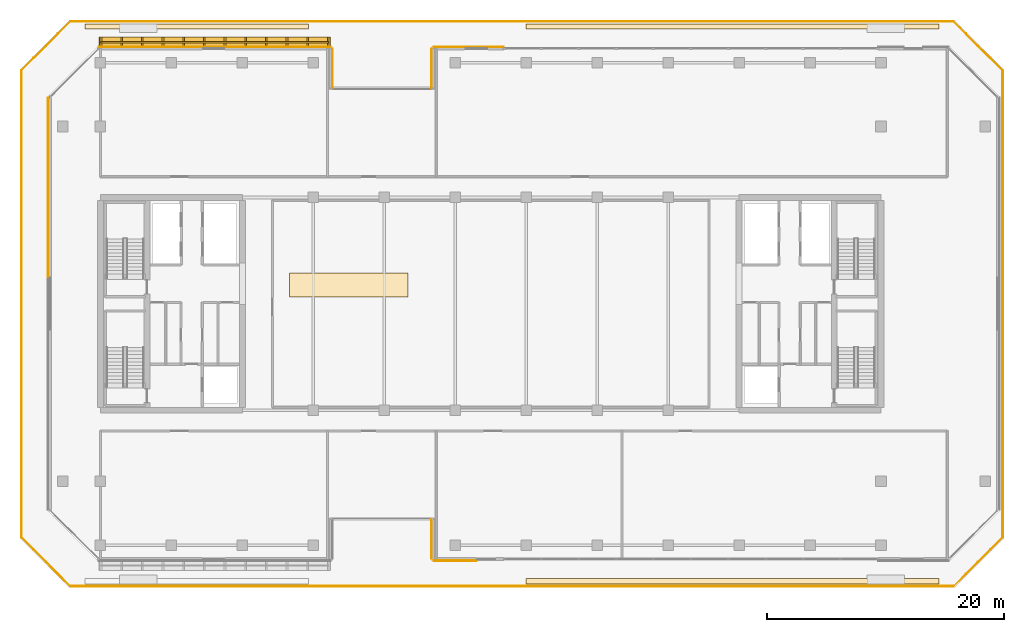
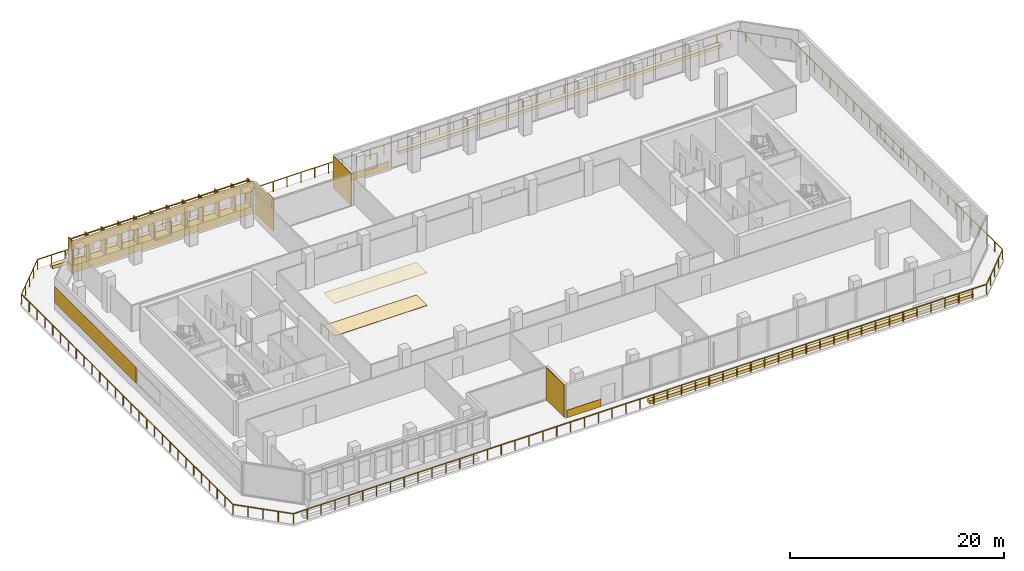
# One storey, part 28 of 30: 13 coverings, 3 railings.
"""IFC4 building model written with IfcOpenShell, lengths in metres."""

from ifc_helpers import new_model, si_unit, direction, frame, origin, origin_2d, place, context, subcontext, project, spatial, polyline, rectangle, outline, extrude, material, layer, layer_set, type_object, element, save


model = new_model("IFC4")

# Units and contexts
model_context = context("Model", 3, precision=1e-05, world=origin(), true_north=direction((0.0, 1.0)))
body_context = subcontext(model_context, "Body", "Model", "MODEL_VIEW")
ifc_project = project(units=[si_unit("LENGTHUNIT", "METRE"), si_unit("AREAUNIT", "SQUARE_METRE"), si_unit("VOLUMEUNIT", "CUBIC_METRE"), si_unit("PLANEANGLEUNIT", "RADIAN"), si_unit("MASSUNIT", "GRAM", prefix="KILO")], contexts=[model_context])

# Site, building, storey
site_placement = place(None, origin())
site = spatial("IfcSite", under=ifc_project, at=site_placement, CompositionType="ELEMENT")
building_placement = place(site_placement, origin())
building = spatial("IfcBuilding", under=site, at=building_placement, Name="Tanjung Sevakor Pilgrim Tower", CompositionType="ELEMENT")
storey_placement = place(building_placement, frame((0.0, 0.0, 128.0400390625)))
storey = spatial("IfcBuildingStorey", under=building, at=storey_placement, Name="L35", CompositionType="ELEMENT", Elevation=128.0400390625)

# Coverings
ifc_material_1 = material(Name="Acoustic Gypsum Board Ceiling", Category="gypsum board")
ifc_layer_1 = layer(ifc_material_1, 0.02490234375)
ifc_layer_set_1 = layer_set([ifc_layer_1], Name="COV-CEIL-ACOUSTIC")
covering_type_1 = type_object("IfcCoveringType", Name="COV-CEIL-ACOUSTIC", PredefinedType="CEILING", material=ifc_layer_set_1)
covering_1_placement = place(storey_placement, frame((45.0, 35.199951171875, 3.715576171875), z_axis=(0.0, 0.0, 1.0), x_axis=(1.0, 0.0, 0.0)))
element("IfcCovering", 1, at=covering_1_placement, inside=storey, type_object=covering_type_1, Name="L35 Acoustic Suspended Ceiling", PredefinedType="CEILING", context=body_context, shape_type="SweptSolid", body=[
    extrude(rectangle(XDim=10.0, YDim=2.0, at=origin_2d()), origin(), (0.0, 0.0, 1.0), 0.02490234375),
])
ifc_material_2 = material(Name="Reconstructed Limestone Cladding", Category="masonry")
ifc_layer_2 = layer(ifc_material_2, 0.044921875)
ifc_layer_set_2 = layer_set([ifc_layer_2], Name="COV-CLAD-LIMESTONE")
covering_type_2 = type_object("IfcCoveringType", Name="COV-CLAD-LIMESTONE", PredefinedType="CLADDING", material=ifc_layer_set_2)
covering_2_placement = place(storey_placement, frame((51.9775390625, 13.72509765625, 0.02001953125), z_axis=(0.0, 0.0, 1.0), x_axis=(0.0, -1.0, 0.0)))
element("IfcCovering", 2, at=covering_2_placement, inside=storey, type_object=covering_type_2, Name="L35 Warm Limestone Wall Cladding EW-L35-MAIN-4", PredefinedType="CLADDING", context=body_context, shape_type="SweptSolid", body=[
    extrude(rectangle(XDim=3.360107421875, YDim=0.044921875, at=origin_2d()), origin(), (0.0, 0.0, 1.0), 3.699951171875),
])
covering_3_placement = place(storey_placement, frame((53.989990234375, 11.87744140625, 0.009765625), z_axis=(0.0, 0.0, 1.0), x_axis=(1.0, 0.0, 0.0)))
element("IfcCovering", 3, at=covering_3_placement, inside=storey, type_object=covering_type_2, Name="L35 Warm Limestone Sill Spandrel EW-SKY-L35-S1-1", PredefinedType="CLADDING", context=body_context, shape_type="SweptSolid", body=[
    extrude(rectangle(XDim=3.64990234375, YDim=0.044921875, at=origin_2d()), origin(), (0.0, 0.0, 1.0), 0.840087890625),
])
covering_4_placement = place(storey_placement, frame((55.125, 55.322509765625, 0.009765625), z_axis=(0.0, 0.0, 1.0), x_axis=(-1.0, 0.0, 0.0)))
element("IfcCovering", 4, at=covering_4_placement, inside=storey, type_object=covering_type_2, Name="L35 Warm Limestone Sill Spandrel EW-SKY-L35-N2-1", PredefinedType="CLADDING", context=body_context, shape_type="SweptSolid", body=[
    extrude(rectangle(XDim=5.919921875, YDim=0.044921875, at=origin_2d()), origin(), (0.0, 0.0, 1.0), 0.840087890625),
])
for number, where, z_axis, x_axis, name in (
    (5, (51.9775390625, 53.47509765625, 0.02001953125), (0.0, 0.0, 1.0), (0.0, -1.0, 0.0), "L35 Warm Limestone Wall Cladding EW-L35-MAIN-10"),
    (6, (43.62255859375, 53.47509765625, 0.02001953125), (0.0, 0.0, 1.0), (0.0, 1.0, 0.0), "L35 Warm Limestone Wall Cladding EW-L35-MAIN-12"),
):
    element("IfcCovering", number, at=place(storey_placement, frame(where, z_axis=z_axis, x_axis=x_axis)), inside=storey, type_object=covering_type_2, Name=name, PredefinedType="CLADDING", context=body_context, shape_type="SweptSolid", body=[
        extrude(rectangle(XDim=3.360107421875, YDim=0.044921875, at=origin_2d()), origin(), (0.0, 0.0, 1.0), 3.699951171875),
    ])
covering_5_placement = place(storey_placement, frame((33.663330078125, 55.72998046875, 0.009765625), z_axis=(0.0, 0.0, 1.0), x_axis=(-1.0, 0.0, 0.0)))
element("IfcCovering", 7, at=covering_5_placement, inside=storey, type_object=covering_type_2, Name="L35 Warm Limestone Sill Spandrel EW-L35-MAIN-13-1", PredefinedType="CLADDING", context=body_context, shape_type="SweptSolid", body=[
    extrude(rectangle(XDim=19.543212890625, YDim=0.860107421875, at=origin_2d()), origin(), (0.0, 0.0, 1.0), 0.840087890625),
])
covering_6_placement = place(storey_placement, frame((33.663330078125, 55.322509765625, 2.66015625), z_axis=(0.0, 0.0, 1.0), x_axis=(-1.0, 0.0, 0.0)))
element("IfcCovering", 8, at=covering_6_placement, inside=storey, type_object=covering_type_2, Name="L35 Warm Limestone Cornice Spandrel EW-L35-MAIN-13", PredefinedType="CLADDING", context=body_context, shape_type="SweptSolid", body=[
    extrude(rectangle(XDim=19.583251953125, YDim=0.044921875, at=origin_2d()), origin(), (0.0, 0.0, 1.0), 1.070068359375),
])
covering_7_placement = place(storey_placement, frame((19.577392578125, 43.42919921875, 0.849853515625), z_axis=(0.0, 0.0, 1.0), x_axis=(0.0, -1.0, 0.0)))
element("IfcCovering", 9, at=covering_7_placement, inside=storey, type_object=covering_type_2, Name="L35 Warm Limestone Pier Panel EW-L35-MAIN-15-1", PredefinedType="CLADDING", context=body_context, shape_type="SweptSolid", body=[
    extrude(rectangle(XDim=15.158203125, YDim=0.044921875, at=origin_2d()), origin(), (0.0, 0.0, 1.0), 1.81005859375),
])
ifc_material_3 = material(Name="Honed Limestone Terrazzo Flooring", Category="masonry")
ifc_layer_3 = layer(ifc_material_3, 0.030029296875)
ifc_layer_set_3 = layer_set([ifc_layer_3], Name="COV-FLOOR-TERRAZZO")
covering_type_3 = type_object("IfcCoveringType", Name="COV-FLOOR-TERRAZZO", PredefinedType="FLOORING", material=ifc_layer_set_3)
covering_8_placement = place(storey_placement, frame((45.0, 35.199951171875, 0.0), z_axis=(0.0, 0.0, 1.0), x_axis=(1.0, 0.0, 0.0)))
element("IfcCovering", 10, at=covering_8_placement, inside=storey, type_object=covering_type_3, Name="L35 Terrazzo Lobby Flooring", PredefinedType="FLOORING", context=body_context, shape_type="SweptSolid", body=[
    extrude(rectangle(XDim=10.0, YDim=2.0, at=origin_2d()), origin(), (0.0, 0.0, 1.0), 0.030029296875),
])
ifc_material_4 = material(Name="Vegetated Modular Planter Assembly", Category="organic")
ifc_layer_4 = layer(ifc_material_4, 0.35009765625)
ifc_layer_set_4 = layer_set([ifc_layer_4], Name="COV-GRN-TROUGH")
covering_type_4 = type_object("IfcCoveringType", Name="COV-GRN-TROUGH", PredefinedType="CLADDING", material=ifc_layer_set_4)
covering_9_placement = place(storey_placement, origin())
element("IfcCovering", 11, at=covering_9_placement, inside=storey, type_object=covering_type_4, Name="L35 Planted Landscape Hedge Trough SGRN-L35-SE", PredefinedType="CLADDING", context=body_context, shape_type="SweptSolid", body=[
    extrude(outline(polyline([(60.0, 9.929931640625), (94.89990234375, 9.929931640625), (94.89990234375, 10.3701171875), (60.0, 10.3701171875), (60.0, 9.929931640625)])), origin(), (0.0, 0.0, 1.0), 0.349853515625),
])
covering_10_placement = place(storey_placement, origin())
element("IfcCovering", 12, at=covering_10_placement, inside=storey, type_object=covering_type_4, Name="L35 Planted Landscape Hedge Trough SGRN-L35-NW", PredefinedType="CLADDING", context=body_context, shape_type="SweptSolid", body=[
    extrude(outline(polyline([(22.699951171875, 56.830078125), (41.60009765625, 56.830078125), (41.60009765625, 57.27001953125), (22.699951171875, 57.27001953125), (22.699951171875, 56.830078125)])), origin(), (0.0, 0.0, 1.0), 0.349853515625),
])
covering_11_placement = place(storey_placement, origin())
element("IfcCovering", 13, at=covering_11_placement, inside=storey, type_object=covering_type_4, Name="L35 Planted Landscape Hedge Trough SGRN-L35-NE", PredefinedType="CLADDING", context=body_context, shape_type="SweptSolid", body=[
    extrude(outline(polyline([(60.0, 56.830078125), (94.89990234375, 56.830078125), (94.89990234375, 57.27001953125), (60.0, 57.27001953125), (60.0, 56.830078125)])), origin(), (0.0, 0.0, 1.0), 0.349853515625),
])

# Railings
ifc_material_5 = material(Name="Steel S355J2", Category="steel")
railing_type_1 = type_object("IfcRailingType", Name="RL-EXT-GUARD", PredefinedType="GUARDRAIL", material=ifc_material_5)
railing_1_placement = place(storey_placement, frame((21.44970703125, 9.719970703125, 0.0)))
element("IfcRailing", 14, at=railing_1_placement, inside=storey, type_object=railing_type_1, Name="L35 Terrace Perimeter Guardrail GR-SKYTER-L35-1", PredefinedType="GUARDRAIL", context=body_context, shape_type="SweptSolid", body=[
    extrude(rectangle(XDim=0.0479, YDim=0.0479), frame((0.0, 0.0, 1.1259765625), z_axis=(1.0, 0.0, 0.0), x_axis=(0.0, 1.0, 0.0)), (0.0, 0.0, 1.0), 74.70068359375),
    extrude(rectangle(XDim=0.0479, YDim=0.0479), frame((74.70068359375, 0.0, 1.1259765625), z_axis=(0.707106781187, 0.707106781187, 0.0), x_axis=(-0.707106781187, 0.707106781187, 0.0)), (0.0, 0.0, 1.0), 5.840087890625),
    extrude(rectangle(XDim=0.0479, YDim=0.0479), frame((78.830322265625, 4.129638671875, 1.1259765625), z_axis=(0.0, 1.0, 0.0), x_axis=(-1.0, 0.0, 0.0)), (0.0, 0.0, 1.0), 39.500732421875),
    extrude(rectangle(XDim=0.0479, YDim=0.0479), frame((78.830322265625, 43.63037109375, 1.1259765625), z_axis=(-0.707106781187, 0.707106781187, 0.0), x_axis=(-0.707106781187, -0.707106781187, 0.0)), (0.0, 0.0, 1.0), 5.840087890625),
    extrude(rectangle(XDim=0.042, YDim=0.042), origin(), (0.0, 0.0, 1.0), 1.101806640625),
    extrude(rectangle(XDim=0.042, YDim=0.042), frame((1.493896484375, 0.0, 0.0)), (0.0, 0.0, 1.0), 1.101806640625),
    extrude(rectangle(XDim=0.042, YDim=0.042), frame((2.988037109375, 0.0, 0.0)), (0.0, 0.0, 1.0), 1.101806640625),
    extrude(rectangle(XDim=0.042, YDim=0.042), frame((4.48193359375, 0.0, 0.0)), (0.0, 0.0, 1.0), 1.101806640625),
    extrude(rectangle(XDim=0.042, YDim=0.042), frame((5.97607421875, 0.0, 0.0)), (0.0, 0.0, 1.0), 1.101806640625),
    extrude(rectangle(XDim=0.042, YDim=0.042), frame((7.469970703125, 0.0, 0.0)), (0.0, 0.0, 1.0), 1.101806640625),
    extrude(rectangle(XDim=0.042, YDim=0.042), frame((8.964111328125, 0.0, 0.0)), (0.0, 0.0, 1.0), 1.101806640625),
    extrude(rectangle(XDim=0.042, YDim=0.042), frame((10.4580078125, 0.0, 0.0)), (0.0, 0.0, 1.0), 1.101806640625),
    extrude(rectangle(XDim=0.042, YDim=0.042), frame((11.9521484375, 0.0, 0.0)), (0.0, 0.0, 1.0), 1.101806640625),
    extrude(rectangle(XDim=0.042, YDim=0.042), frame((13.446044921875, 0.0, 0.0)), (0.0, 0.0, 1.0), 1.101806640625),
    extrude(rectangle(XDim=0.042, YDim=0.042), frame((14.940185546875, 0.0, 0.0)), (0.0, 0.0, 1.0), 1.101806640625),
    extrude(rectangle(XDim=0.042, YDim=0.042), frame((16.43408203125, 0.0, 0.0)), (0.0, 0.0, 1.0), 1.101806640625),
    extrude(rectangle(XDim=0.042, YDim=0.042), frame((17.92822265625, 0.0, 0.0)), (0.0, 0.0, 1.0), 1.101806640625),
    extrude(rectangle(XDim=0.042, YDim=0.042), frame((19.422119140625, 0.0, 0.0)), (0.0, 0.0, 1.0), 1.101806640625),
    extrude(rectangle(XDim=0.042, YDim=0.042), frame((20.916259765625, 0.0, 0.0)), (0.0, 0.0, 1.0), 1.101806640625),
    extrude(rectangle(XDim=0.042, YDim=0.042), frame((22.41015625, 0.0, 0.0)), (0.0, 0.0, 1.0), 1.101806640625),
    extrude(rectangle(XDim=0.042, YDim=0.042), frame((23.904296875, 0.0, 0.0)), (0.0, 0.0, 1.0), 1.101806640625),
    extrude(rectangle(XDim=0.042, YDim=0.042), frame((25.398193359375, 0.0, 0.0)), (0.0, 0.0, 1.0), 1.101806640625),
    extrude(rectangle(XDim=0.042, YDim=0.042), frame((26.892333984375, 0.0, 0.0)), (0.0, 0.0, 1.0), 1.101806640625),
    extrude(rectangle(XDim=0.042, YDim=0.042), frame((28.38623046875, 0.0, 0.0)), (0.0, 0.0, 1.0), 1.101806640625),
    extrude(rectangle(XDim=0.042, YDim=0.042), frame((29.88037109375, 0.0, 0.0)), (0.0, 0.0, 1.0), 1.101806640625),
    extrude(rectangle(XDim=0.042, YDim=0.042), frame((31.374267578125, 0.0, 0.0)), (0.0, 0.0, 1.0), 1.101806640625),
    extrude(rectangle(XDim=0.042, YDim=0.042), frame((32.868408203125, 0.0, 0.0)), (0.0, 0.0, 1.0), 1.101806640625),
    extrude(rectangle(XDim=0.042, YDim=0.042), frame((34.3623046875, 0.0, 0.0)), (0.0, 0.0, 1.0), 1.101806640625),
    extrude(rectangle(XDim=0.042, YDim=0.042), frame((35.8564453125, 0.0, 0.0)), (0.0, 0.0, 1.0), 1.101806640625),
    extrude(rectangle(XDim=0.042, YDim=0.042), frame((37.350341796875, 0.0, 0.0)), (0.0, 0.0, 1.0), 1.101806640625),
    extrude(rectangle(XDim=0.042, YDim=0.042), frame((38.84423828125, 0.0, 0.0)), (0.0, 0.0, 1.0), 1.101806640625),
    extrude(rectangle(XDim=0.042, YDim=0.042), frame((40.33837890625, 0.0, 0.0)), (0.0, 0.0, 1.0), 1.101806640625),
    extrude(rectangle(XDim=0.042, YDim=0.042), frame((41.832275390625, 0.0, 0.0)), (0.0, 0.0, 1.0), 1.101806640625),
    extrude(rectangle(XDim=0.042, YDim=0.042), frame((43.326416015625, 0.0, 0.0)), (0.0, 0.0, 1.0), 1.101806640625),
    extrude(rectangle(XDim=0.042, YDim=0.042), frame((44.8203125, 0.0, 0.0)), (0.0, 0.0, 1.0), 1.101806640625),
    extrude(rectangle(XDim=0.042, YDim=0.042), frame((46.314453125, 0.0, 0.0)), (0.0, 0.0, 1.0), 1.101806640625),
    extrude(rectangle(XDim=0.042, YDim=0.042), frame((47.808349609375, 0.0, 0.0)), (0.0, 0.0, 1.0), 1.101806640625),
    extrude(rectangle(XDim=0.042, YDim=0.042), frame((49.302490234375, 0.0, 0.0)), (0.0, 0.0, 1.0), 1.101806640625),
    extrude(rectangle(XDim=0.042, YDim=0.042), frame((50.79638671875, 0.0, 0.0)), (0.0, 0.0, 1.0), 1.101806640625),
    extrude(rectangle(XDim=0.042, YDim=0.042), frame((52.29052734375, 0.0, 0.0)), (0.0, 0.0, 1.0), 1.101806640625),
    extrude(rectangle(XDim=0.042, YDim=0.042), frame((53.784423828125, 0.0, 0.0)), (0.0, 0.0, 1.0), 1.101806640625),
    extrude(rectangle(XDim=0.042, YDim=0.042), frame((55.278564453125, 0.0, 0.0)), (0.0, 0.0, 1.0), 1.101806640625),
    extrude(rectangle(XDim=0.042, YDim=0.042), frame((56.7724609375, 0.0, 0.0)), (0.0, 0.0, 1.0), 1.101806640625),
    extrude(rectangle(XDim=0.042, YDim=0.042), frame((58.2666015625, 0.0, 0.0)), (0.0, 0.0, 1.0), 1.101806640625),
    extrude(rectangle(XDim=0.042, YDim=0.042), frame((59.760498046875, 0.0, 0.0)), (0.0, 0.0, 1.0), 1.101806640625),
    extrude(rectangle(XDim=0.042, YDim=0.042), frame((61.254638671875, 0.0, 0.0)), (0.0, 0.0, 1.0), 1.101806640625),
    extrude(rectangle(XDim=0.042, YDim=0.042), frame((62.74853515625, 0.0, 0.0)), (0.0, 0.0, 1.0), 1.101806640625),
    extrude(rectangle(XDim=0.042, YDim=0.042), frame((64.24267578125, 0.0, 0.0)), (0.0, 0.0, 1.0), 1.101806640625),
    extrude(rectangle(XDim=0.042, YDim=0.042), frame((65.736572265625, 0.0, 0.0)), (0.0, 0.0, 1.0), 1.101806640625),
    extrude(rectangle(XDim=0.042, YDim=0.042), frame((67.230712890625, 0.0, 0.0)), (0.0, 0.0, 1.0), 1.101806640625),
    extrude(rectangle(XDim=0.042, YDim=0.042), frame((68.724609375, 0.0, 0.0)), (0.0, 0.0, 1.0), 1.101806640625),
    extrude(rectangle(XDim=0.042, YDim=0.042), frame((70.21875, 0.0, 0.0)), (0.0, 0.0, 1.0), 1.101806640625),
    extrude(rectangle(XDim=0.042, YDim=0.042), frame((71.712646484375, 0.0, 0.0)), (0.0, 0.0, 1.0), 1.101806640625),
    extrude(rectangle(XDim=0.042, YDim=0.042), frame((73.206787109375, 0.0, 0.0)), (0.0, 0.0, 1.0), 1.101806640625),
    extrude(rectangle(XDim=0.042, YDim=0.042), frame((74.70068359375, 0.0, 0.0)), (0.0, 0.0, 1.0), 1.101806640625),
    extrude(rectangle(XDim=0.042, YDim=0.042), frame((75.733154296875, 1.032470703125, 0.0)), (0.0, 0.0, 1.0), 1.101806640625),
    extrude(rectangle(XDim=0.042, YDim=0.042), frame((76.765625, 2.06494140625, 0.0)), (0.0, 0.0, 1.0), 1.101806640625),
    extrude(rectangle(XDim=0.042, YDim=0.042), frame((77.7978515625, 3.09716796875, 0.0)), (0.0, 0.0, 1.0), 1.101806640625),
    extrude(rectangle(XDim=0.042, YDim=0.042), frame((78.830322265625, 4.129638671875, 0.0)), (0.0, 0.0, 1.0), 1.101806640625),
    extrude(rectangle(XDim=0.042, YDim=0.042), frame((78.830322265625, 5.592529296875, 0.0)), (0.0, 0.0, 1.0), 1.101806640625),
    extrude(rectangle(XDim=0.042, YDim=0.042), frame((78.830322265625, 7.0556640625, 0.0)), (0.0, 0.0, 1.0), 1.101806640625),
    extrude(rectangle(XDim=0.042, YDim=0.042), frame((78.830322265625, 8.5185546875, 0.0)), (0.0, 0.0, 1.0), 1.101806640625),
    extrude(rectangle(XDim=0.042, YDim=0.042), frame((78.830322265625, 9.981689453125, 0.0)), (0.0, 0.0, 1.0), 1.101806640625),
    extrude(rectangle(XDim=0.042, YDim=0.042), frame((78.830322265625, 11.444580078125, 0.0)), (0.0, 0.0, 1.0), 1.101806640625),
    extrude(rectangle(XDim=0.042, YDim=0.042), frame((78.830322265625, 12.907470703125, 0.0)), (0.0, 0.0, 1.0), 1.101806640625),
    extrude(rectangle(XDim=0.042, YDim=0.042), frame((78.830322265625, 14.37060546875, 0.0)), (0.0, 0.0, 1.0), 1.101806640625),
    extrude(rectangle(XDim=0.042, YDim=0.042), frame((78.830322265625, 15.83349609375, 0.0)), (0.0, 0.0, 1.0), 1.101806640625),
    extrude(rectangle(XDim=0.042, YDim=0.042), frame((78.830322265625, 17.296630859375, 0.0)), (0.0, 0.0, 1.0), 1.101806640625),
    extrude(rectangle(XDim=0.042, YDim=0.042), frame((78.830322265625, 18.759521484375, 0.0)), (0.0, 0.0, 1.0), 1.101806640625),
    extrude(rectangle(XDim=0.042, YDim=0.042), frame((78.830322265625, 20.222412109375, 0.0)), (0.0, 0.0, 1.0), 1.101806640625),
    extrude(rectangle(XDim=0.042, YDim=0.042), frame((78.830322265625, 21.685546875, 0.0)), (0.0, 0.0, 1.0), 1.101806640625),
    extrude(rectangle(XDim=0.042, YDim=0.042), frame((78.830322265625, 23.1484375, 0.0)), (0.0, 0.0, 1.0), 1.101806640625),
    extrude(rectangle(XDim=0.042, YDim=0.042), frame((78.830322265625, 24.611572265625, 0.0)), (0.0, 0.0, 1.0), 1.101806640625),
    extrude(rectangle(XDim=0.042, YDim=0.042), frame((78.830322265625, 26.074462890625, 0.0)), (0.0, 0.0, 1.0), 1.101806640625),
    extrude(rectangle(XDim=0.042, YDim=0.042), frame((78.830322265625, 27.53759765625, 0.0)), (0.0, 0.0, 1.0), 1.101806640625),
    extrude(rectangle(XDim=0.042, YDim=0.042), frame((78.830322265625, 29.00048828125, 0.0)), (0.0, 0.0, 1.0), 1.101806640625),
    extrude(rectangle(XDim=0.042, YDim=0.042), frame((78.830322265625, 30.46337890625, 0.0)), (0.0, 0.0, 1.0), 1.101806640625),
    extrude(rectangle(XDim=0.042, YDim=0.042), frame((78.830322265625, 31.926513671875, 0.0)), (0.0, 0.0, 1.0), 1.101806640625),
    extrude(rectangle(XDim=0.042, YDim=0.042), frame((78.830322265625, 33.389404296875, 0.0)), (0.0, 0.0, 1.0), 1.101806640625),
    extrude(rectangle(XDim=0.042, YDim=0.042), frame((78.830322265625, 34.8525390625, 0.0)), (0.0, 0.0, 1.0), 1.101806640625),
    extrude(rectangle(XDim=0.042, YDim=0.042), frame((78.830322265625, 36.3154296875, 0.0)), (0.0, 0.0, 1.0), 1.101806640625),
    extrude(rectangle(XDim=0.042, YDim=0.042), frame((78.830322265625, 37.7783203125, 0.0)), (0.0, 0.0, 1.0), 1.101806640625),
    extrude(rectangle(XDim=0.042, YDim=0.042), frame((78.830322265625, 39.241455078125, 0.0)), (0.0, 0.0, 1.0), 1.101806640625),
    extrude(rectangle(XDim=0.042, YDim=0.042), frame((78.830322265625, 40.704345703125, 0.0)), (0.0, 0.0, 1.0), 1.101806640625),
    extrude(rectangle(XDim=0.042, YDim=0.042), frame((78.830322265625, 42.16748046875, 0.0)), (0.0, 0.0, 1.0), 1.101806640625),
    extrude(rectangle(XDim=0.042, YDim=0.042), frame((78.830322265625, 43.63037109375, 0.0)), (0.0, 0.0, 1.0), 1.101806640625),
    extrude(rectangle(XDim=0.042, YDim=0.042), frame((77.7978515625, 44.662841796875, 0.0)), (0.0, 0.0, 1.0), 1.101806640625),
    extrude(rectangle(XDim=0.042, YDim=0.042), frame((76.765625, 45.6953125, 0.0)), (0.0, 0.0, 1.0), 1.101806640625),
    extrude(rectangle(XDim=0.042, YDim=0.042), frame((75.733154296875, 46.7275390625, 0.0)), (0.0, 0.0, 1.0), 1.101806640625),
    extrude(rectangle(XDim=0.042, YDim=0.042), frame((74.70068359375, 47.760009765625, 0.0)), (0.0, 0.0, 1.0), 1.101806640625),
])
railing_2_placement = place(storey_placement, frame((96.150390625, 57.47998046875, 0.0)))
element("IfcRailing", 15, at=railing_2_placement, inside=storey, type_object=railing_type_1, Name="L35 Terrace Perimeter Guardrail GR-SKYTER-L35-2", PredefinedType="GUARDRAIL", context=body_context, shape_type="SweptSolid", body=[
    extrude(rectangle(XDim=0.0479, YDim=0.0479), frame((0.0, 0.0, 1.1259765625), z_axis=(-1.0, 0.0, 0.0), x_axis=(0.0, -1.0, 0.0)), (0.0, 0.0, 1.0), 74.70068359375),
    extrude(rectangle(XDim=0.0479, YDim=0.0479), frame((-74.70068359375, 0.0, 1.1259765625), z_axis=(-0.707106781187, -0.707106781187, 0.0), x_axis=(0.707106781187, -0.707106781187, 0.0)), (0.0, 0.0, 1.0), 5.840087890625),
    extrude(rectangle(XDim=0.0479, YDim=0.0479), frame((-78.830322265625, -4.129638671875, 1.1259765625), z_axis=(0.0, -1.0, 0.0), x_axis=(1.0, 0.0, 0.0)), (0.0, 0.0, 1.0), 39.500732421875),
    extrude(rectangle(XDim=0.0479, YDim=0.0479), frame((-78.830322265625, -43.63037109375, 1.1259765625), z_axis=(0.707106781187, -0.707106781187, 0.0), x_axis=(0.707106781187, 0.707106781187, 0.0)), (0.0, 0.0, 1.0), 5.840087890625),
    extrude(rectangle(XDim=0.042, YDim=0.042), origin(), (0.0, 0.0, 1.0), 1.101806640625),
    extrude(rectangle(XDim=0.042, YDim=0.042), frame((-1.493896484375, 0.0, 0.0)), (0.0, 0.0, 1.0), 1.101806640625),
    extrude(rectangle(XDim=0.042, YDim=0.042), frame((-2.988037109375, 0.0, 0.0)), (0.0, 0.0, 1.0), 1.101806640625),
    extrude(rectangle(XDim=0.042, YDim=0.042), frame((-4.48193359375, 0.0, 0.0)), (0.0, 0.0, 1.0), 1.101806640625),
    extrude(rectangle(XDim=0.042, YDim=0.042), frame((-5.97607421875, 0.0, 0.0)), (0.0, 0.0, 1.0), 1.101806640625),
    extrude(rectangle(XDim=0.042, YDim=0.042), frame((-7.469970703125, 0.0, 0.0)), (0.0, 0.0, 1.0), 1.101806640625),
    extrude(rectangle(XDim=0.042, YDim=0.042), frame((-8.964111328125, 0.0, 0.0)), (0.0, 0.0, 1.0), 1.101806640625),
    extrude(rectangle(XDim=0.042, YDim=0.042), frame((-10.4580078125, 0.0, 0.0)), (0.0, 0.0, 1.0), 1.101806640625),
    extrude(rectangle(XDim=0.042, YDim=0.042), frame((-11.9521484375, 0.0, 0.0)), (0.0, 0.0, 1.0), 1.101806640625),
    extrude(rectangle(XDim=0.042, YDim=0.042), frame((-13.446044921875, 0.0, 0.0)), (0.0, 0.0, 1.0), 1.101806640625),
    extrude(rectangle(XDim=0.042, YDim=0.042), frame((-14.940185546875, 0.0, 0.0)), (0.0, 0.0, 1.0), 1.101806640625),
    extrude(rectangle(XDim=0.042, YDim=0.042), frame((-16.43408203125, 0.0, 0.0)), (0.0, 0.0, 1.0), 1.101806640625),
    extrude(rectangle(XDim=0.042, YDim=0.042), frame((-17.92822265625, 0.0, 0.0)), (0.0, 0.0, 1.0), 1.101806640625),
    extrude(rectangle(XDim=0.042, YDim=0.042), frame((-19.422119140625, 0.0, 0.0)), (0.0, 0.0, 1.0), 1.101806640625),
    extrude(rectangle(XDim=0.042, YDim=0.042), frame((-20.916259765625, 0.0, 0.0)), (0.0, 0.0, 1.0), 1.101806640625),
    extrude(rectangle(XDim=0.042, YDim=0.042), frame((-22.41015625, 0.0, 0.0)), (0.0, 0.0, 1.0), 1.101806640625),
    extrude(rectangle(XDim=0.042, YDim=0.042), frame((-23.904296875, 0.0, 0.0)), (0.0, 0.0, 1.0), 1.101806640625),
    extrude(rectangle(XDim=0.042, YDim=0.042), frame((-25.398193359375, 0.0, 0.0)), (0.0, 0.0, 1.0), 1.101806640625),
    extrude(rectangle(XDim=0.042, YDim=0.042), frame((-26.892333984375, 0.0, 0.0)), (0.0, 0.0, 1.0), 1.101806640625),
    extrude(rectangle(XDim=0.042, YDim=0.042), frame((-28.38623046875, 0.0, 0.0)), (0.0, 0.0, 1.0), 1.101806640625),
    extrude(rectangle(XDim=0.042, YDim=0.042), frame((-29.88037109375, 0.0, 0.0)), (0.0, 0.0, 1.0), 1.101806640625),
    extrude(rectangle(XDim=0.042, YDim=0.042), frame((-31.374267578125, 0.0, 0.0)), (0.0, 0.0, 1.0), 1.101806640625),
    extrude(rectangle(XDim=0.042, YDim=0.042), frame((-32.868408203125, 0.0, 0.0)), (0.0, 0.0, 1.0), 1.101806640625),
    extrude(rectangle(XDim=0.042, YDim=0.042), frame((-34.3623046875, 0.0, 0.0)), (0.0, 0.0, 1.0), 1.101806640625),
    extrude(rectangle(XDim=0.042, YDim=0.042), frame((-35.8564453125, 0.0, 0.0)), (0.0, 0.0, 1.0), 1.101806640625),
    extrude(rectangle(XDim=0.042, YDim=0.042), frame((-37.350341796875, 0.0, 0.0)), (0.0, 0.0, 1.0), 1.101806640625),
    extrude(rectangle(XDim=0.042, YDim=0.042), frame((-38.84423828125, 0.0, 0.0)), (0.0, 0.0, 1.0), 1.101806640625),
    extrude(rectangle(XDim=0.042, YDim=0.042), frame((-40.33837890625, 0.0, 0.0)), (0.0, 0.0, 1.0), 1.101806640625),
    extrude(rectangle(XDim=0.042, YDim=0.042), frame((-41.832275390625, 0.0, 0.0)), (0.0, 0.0, 1.0), 1.101806640625),
    extrude(rectangle(XDim=0.042, YDim=0.042), frame((-43.326416015625, 0.0, 0.0)), (0.0, 0.0, 1.0), 1.101806640625),
    extrude(rectangle(XDim=0.042, YDim=0.042), frame((-44.8203125, 0.0, 0.0)), (0.0, 0.0, 1.0), 1.101806640625),
    extrude(rectangle(XDim=0.042, YDim=0.042), frame((-46.314453125, 0.0, 0.0)), (0.0, 0.0, 1.0), 1.101806640625),
    extrude(rectangle(XDim=0.042, YDim=0.042), frame((-47.808349609375, 0.0, 0.0)), (0.0, 0.0, 1.0), 1.101806640625),
    extrude(rectangle(XDim=0.042, YDim=0.042), frame((-49.302490234375, 0.0, 0.0)), (0.0, 0.0, 1.0), 1.101806640625),
    extrude(rectangle(XDim=0.042, YDim=0.042), frame((-50.79638671875, 0.0, 0.0)), (0.0, 0.0, 1.0), 1.101806640625),
    extrude(rectangle(XDim=0.042, YDim=0.042), frame((-52.29052734375, 0.0, 0.0)), (0.0, 0.0, 1.0), 1.101806640625),
    extrude(rectangle(XDim=0.042, YDim=0.042), frame((-53.784423828125, 0.0, 0.0)), (0.0, 0.0, 1.0), 1.101806640625),
    extrude(rectangle(XDim=0.042, YDim=0.042), frame((-55.278564453125, 0.0, 0.0)), (0.0, 0.0, 1.0), 1.101806640625),
    extrude(rectangle(XDim=0.042, YDim=0.042), frame((-56.7724609375, 0.0, 0.0)), (0.0, 0.0, 1.0), 1.101806640625),
    extrude(rectangle(XDim=0.042, YDim=0.042), frame((-58.2666015625, 0.0, 0.0)), (0.0, 0.0, 1.0), 1.101806640625),
    extrude(rectangle(XDim=0.042, YDim=0.042), frame((-59.760498046875, 0.0, 0.0)), (0.0, 0.0, 1.0), 1.101806640625),
    extrude(rectangle(XDim=0.042, YDim=0.042), frame((-61.254638671875, 0.0, 0.0)), (0.0, 0.0, 1.0), 1.101806640625),
    extrude(rectangle(XDim=0.042, YDim=0.042), frame((-62.74853515625, 0.0, 0.0)), (0.0, 0.0, 1.0), 1.101806640625),
    extrude(rectangle(XDim=0.042, YDim=0.042), frame((-64.24267578125, 0.0, 0.0)), (0.0, 0.0, 1.0), 1.101806640625),
    extrude(rectangle(XDim=0.042, YDim=0.042), frame((-65.736572265625, 0.0, 0.0)), (0.0, 0.0, 1.0), 1.101806640625),
    extrude(rectangle(XDim=0.042, YDim=0.042), frame((-67.230712890625, 0.0, 0.0)), (0.0, 0.0, 1.0), 1.101806640625),
    extrude(rectangle(XDim=0.042, YDim=0.042), frame((-68.724609375, 0.0, 0.0)), (0.0, 0.0, 1.0), 1.101806640625),
    extrude(rectangle(XDim=0.042, YDim=0.042), frame((-70.21875, 0.0, 0.0)), (0.0, 0.0, 1.0), 1.101806640625),
    extrude(rectangle(XDim=0.042, YDim=0.042), frame((-71.712646484375, 0.0, 0.0)), (0.0, 0.0, 1.0), 1.101806640625),
    extrude(rectangle(XDim=0.042, YDim=0.042), frame((-73.206787109375, 0.0, 0.0)), (0.0, 0.0, 1.0), 1.101806640625),
    extrude(rectangle(XDim=0.042, YDim=0.042), frame((-74.70068359375, 0.0, 0.0)), (0.0, 0.0, 1.0), 1.101806640625),
    extrude(rectangle(XDim=0.042, YDim=0.042), frame((-75.733154296875, -1.032470703125, 0.0)), (0.0, 0.0, 1.0), 1.101806640625),
    extrude(rectangle(XDim=0.042, YDim=0.042), frame((-76.765625, -2.06494140625, 0.0)), (0.0, 0.0, 1.0), 1.101806640625),
    extrude(rectangle(XDim=0.042, YDim=0.042), frame((-77.7978515625, -3.09716796875, 0.0)), (0.0, 0.0, 1.0), 1.101806640625),
    extrude(rectangle(XDim=0.042, YDim=0.042), frame((-78.830322265625, -4.129638671875, 0.0)), (0.0, 0.0, 1.0), 1.101806640625),
    extrude(rectangle(XDim=0.042, YDim=0.042), frame((-78.830322265625, -5.592529296875, 0.0)), (0.0, 0.0, 1.0), 1.101806640625),
    extrude(rectangle(XDim=0.042, YDim=0.042), frame((-78.830322265625, -7.0556640625, 0.0)), (0.0, 0.0, 1.0), 1.101806640625),
    extrude(rectangle(XDim=0.042, YDim=0.042), frame((-78.830322265625, -8.5185546875, 0.0)), (0.0, 0.0, 1.0), 1.101806640625),
    extrude(rectangle(XDim=0.042, YDim=0.042), frame((-78.830322265625, -9.981689453125, 0.0)), (0.0, 0.0, 1.0), 1.101806640625),
    extrude(rectangle(XDim=0.042, YDim=0.042), frame((-78.830322265625, -11.444580078125, 0.0)), (0.0, 0.0, 1.0), 1.101806640625),
    extrude(rectangle(XDim=0.042, YDim=0.042), frame((-78.830322265625, -12.907470703125, 0.0)), (0.0, 0.0, 1.0), 1.101806640625),
    extrude(rectangle(XDim=0.042, YDim=0.042), frame((-78.830322265625, -14.37060546875, 0.0)), (0.0, 0.0, 1.0), 1.101806640625),
    extrude(rectangle(XDim=0.042, YDim=0.042), frame((-78.830322265625, -15.83349609375, 0.0)), (0.0, 0.0, 1.0), 1.101806640625),
    extrude(rectangle(XDim=0.042, YDim=0.042), frame((-78.830322265625, -17.296630859375, 0.0)), (0.0, 0.0, 1.0), 1.101806640625),
    extrude(rectangle(XDim=0.042, YDim=0.042), frame((-78.830322265625, -18.759521484375, 0.0)), (0.0, 0.0, 1.0), 1.101806640625),
    extrude(rectangle(XDim=0.042, YDim=0.042), frame((-78.830322265625, -20.222412109375, 0.0)), (0.0, 0.0, 1.0), 1.101806640625),
    extrude(rectangle(XDim=0.042, YDim=0.042), frame((-78.830322265625, -21.685546875, 0.0)), (0.0, 0.0, 1.0), 1.101806640625),
    extrude(rectangle(XDim=0.042, YDim=0.042), frame((-78.830322265625, -23.1484375, 0.0)), (0.0, 0.0, 1.0), 1.101806640625),
    extrude(rectangle(XDim=0.042, YDim=0.042), frame((-78.830322265625, -24.611572265625, 0.0)), (0.0, 0.0, 1.0), 1.101806640625),
    extrude(rectangle(XDim=0.042, YDim=0.042), frame((-78.830322265625, -26.074462890625, 0.0)), (0.0, 0.0, 1.0), 1.101806640625),
    extrude(rectangle(XDim=0.042, YDim=0.042), frame((-78.830322265625, -27.53759765625, 0.0)), (0.0, 0.0, 1.0), 1.101806640625),
    extrude(rectangle(XDim=0.042, YDim=0.042), frame((-78.830322265625, -29.00048828125, 0.0)), (0.0, 0.0, 1.0), 1.101806640625),
    extrude(rectangle(XDim=0.042, YDim=0.042), frame((-78.830322265625, -30.46337890625, 0.0)), (0.0, 0.0, 1.0), 1.101806640625),
    extrude(rectangle(XDim=0.042, YDim=0.042), frame((-78.830322265625, -31.926513671875, 0.0)), (0.0, 0.0, 1.0), 1.101806640625),
    extrude(rectangle(XDim=0.042, YDim=0.042), frame((-78.830322265625, -33.389404296875, 0.0)), (0.0, 0.0, 1.0), 1.101806640625),
    extrude(rectangle(XDim=0.042, YDim=0.042), frame((-78.830322265625, -34.8525390625, 0.0)), (0.0, 0.0, 1.0), 1.101806640625),
    extrude(rectangle(XDim=0.042, YDim=0.042), frame((-78.830322265625, -36.3154296875, 0.0)), (0.0, 0.0, 1.0), 1.101806640625),
    extrude(rectangle(XDim=0.042, YDim=0.042), frame((-78.830322265625, -37.7783203125, 0.0)), (0.0, 0.0, 1.0), 1.101806640625),
    extrude(rectangle(XDim=0.042, YDim=0.042), frame((-78.830322265625, -39.241455078125, 0.0)), (0.0, 0.0, 1.0), 1.101806640625),
    extrude(rectangle(XDim=0.042, YDim=0.042), frame((-78.830322265625, -40.704345703125, 0.0)), (0.0, 0.0, 1.0), 1.101806640625),
    extrude(rectangle(XDim=0.042, YDim=0.042), frame((-78.830322265625, -42.16748046875, 0.0)), (0.0, 0.0, 1.0), 1.101806640625),
    extrude(rectangle(XDim=0.042, YDim=0.042), frame((-78.830322265625, -43.63037109375, 0.0)), (0.0, 0.0, 1.0), 1.101806640625),
    extrude(rectangle(XDim=0.042, YDim=0.042), frame((-77.7978515625, -44.662841796875, 0.0)), (0.0, 0.0, 1.0), 1.101806640625),
    extrude(rectangle(XDim=0.042, YDim=0.042), frame((-76.765625, -45.6953125, 0.0)), (0.0, 0.0, 1.0), 1.101806640625),
    extrude(rectangle(XDim=0.042, YDim=0.042), frame((-75.733154296875, -46.7275390625, 0.0)), (0.0, 0.0, 1.0), 1.101806640625),
    extrude(rectangle(XDim=0.042, YDim=0.042), frame((-74.70068359375, -47.760009765625, 0.0)), (0.0, 0.0, 1.0), 1.101806640625),
])
ifc_material_6 = material(Name="Anodised Bronze Aluminium 6063-T6", Category="aluminium")
railing_type_2 = type_object("IfcRailingType", Name="RL-FIN-SCREEN", PredefinedType="BALUSTRADE", material=ifc_material_6)
railing_3_placement = place(storey_placement, frame((43.27490234375, 55.72509765625, 0.83984375)))
element("IfcRailing", 16, at=railing_3_placement, inside=storey, type_object=railing_type_2, Name="L35 Vertical Bronze-Gold Solar Fin Screen FNSCR-EW-L35-MAIN-13-1", PredefinedType="BALUSTRADE", context=body_context, shape_type="SweptSolid", body=[
    extrude(rectangle(XDim=0.105, YDim=0.105), frame((0.0, 0.0, 2.817626953125), z_axis=(-1.0, 0.0, 0.0), x_axis=(0.0, -1.0, 0.0)), (0.0, 0.0, 1.0), 19.22314453125),
    extrude(rectangle(XDim=0.14, YDim=0.85), origin(), (0.0, 0.0, 1.0), 2.76513671875),
    extrude(rectangle(XDim=0.14, YDim=0.85), frame((-1.74755859375, 0.0, 0.0)), (0.0, 0.0, 1.0), 2.76513671875),
    extrude(rectangle(XDim=0.14, YDim=0.85), frame((-3.4951171875, 0.0, 0.0)), (0.0, 0.0, 1.0), 2.76513671875),
    extrude(rectangle(XDim=0.14, YDim=0.85), frame((-5.24267578125, 0.0, 0.0)), (0.0, 0.0, 1.0), 2.76513671875),
    extrude(rectangle(XDim=0.14, YDim=0.85), frame((-6.990234375, 0.0, 0.0)), (0.0, 0.0, 1.0), 2.76513671875),
    extrude(rectangle(XDim=0.14, YDim=0.85), frame((-8.73779296875, 0.0, 0.0)), (0.0, 0.0, 1.0), 2.76513671875),
    extrude(rectangle(XDim=0.14, YDim=0.85), frame((-10.4853515625, 0.0, 0.0)), (0.0, 0.0, 1.0), 2.76513671875),
    extrude(rectangle(XDim=0.14, YDim=0.85), frame((-12.23291015625, 0.0, 0.0)), (0.0, 0.0, 1.0), 2.76513671875),
    extrude(rectangle(XDim=0.14, YDim=0.85), frame((-13.98046875, 0.0, 0.0)), (0.0, 0.0, 1.0), 2.76513671875),
    extrude(rectangle(XDim=0.14, YDim=0.85), frame((-15.72802734375, 0.0, 0.0)), (0.0, 0.0, 1.0), 2.76513671875),
    extrude(rectangle(XDim=0.14, YDim=0.85), frame((-17.4755859375, 0.0, 0.0)), (0.0, 0.0, 1.0), 2.76513671875),
    extrude(rectangle(XDim=0.14, YDim=0.85), frame((-19.22314453125, 0.0, 0.0)), (0.0, 0.0, 1.0), 2.76513671875),
])

save(model, "model.ifc")
